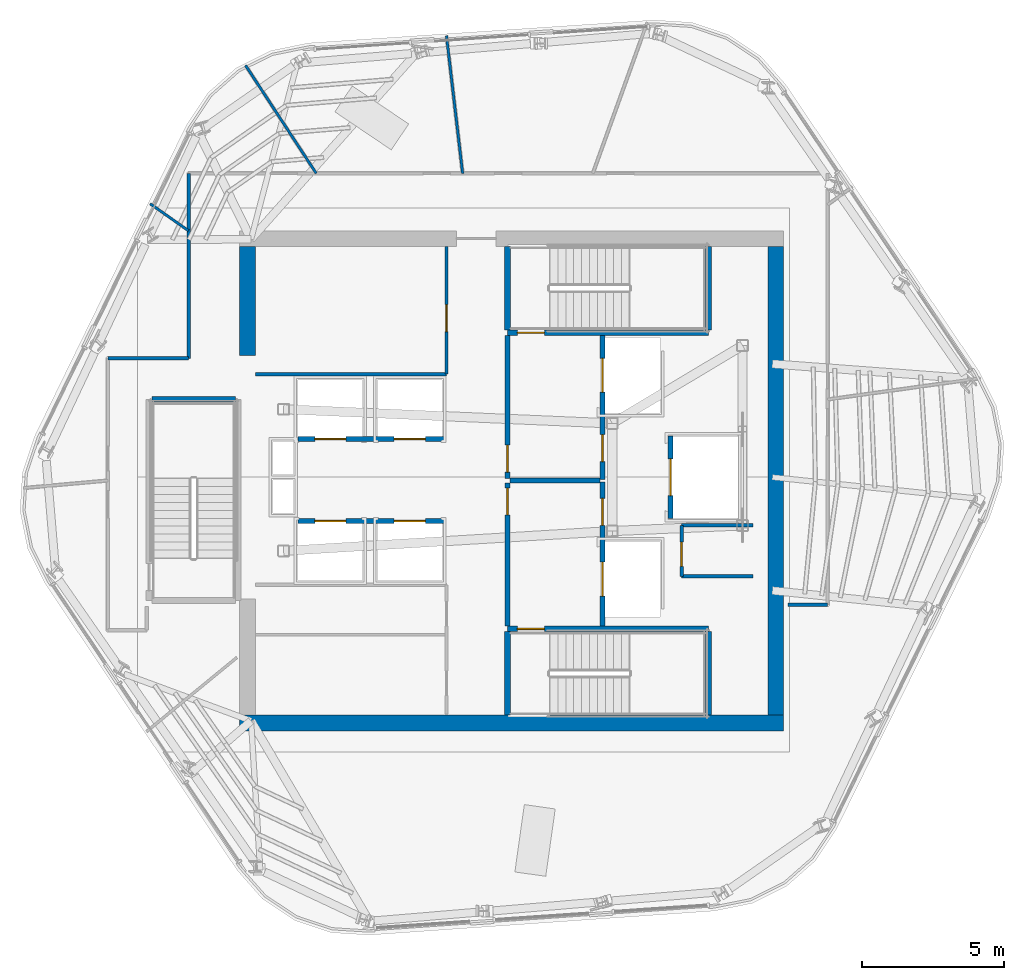
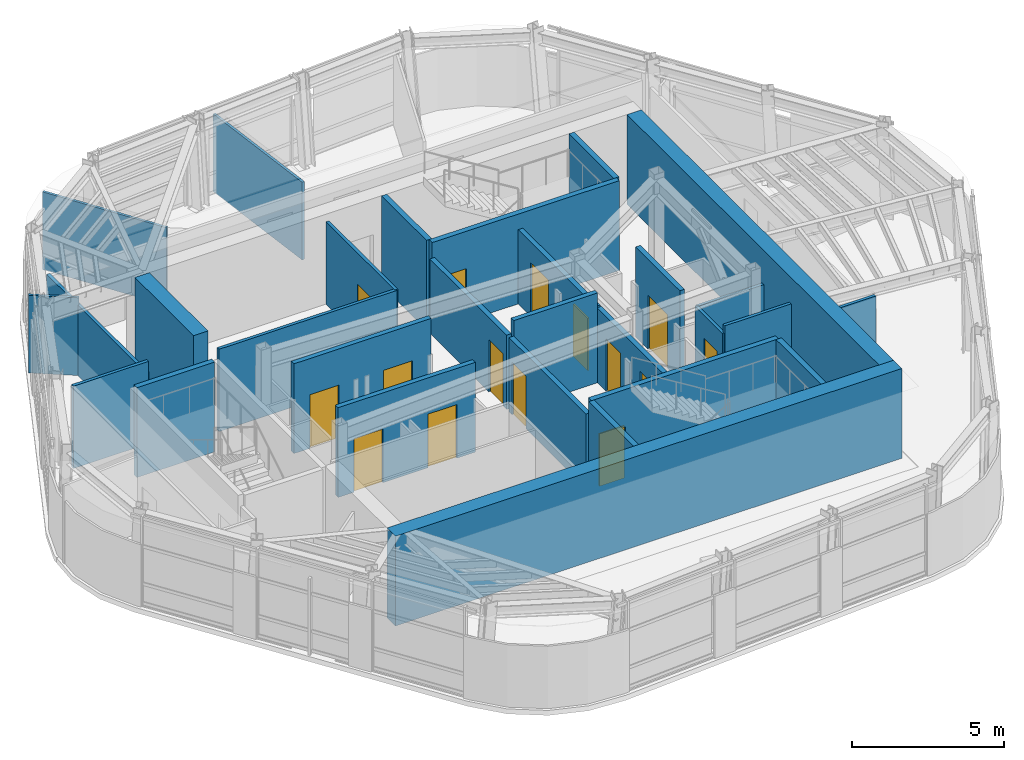
# One storey, part 6 of 14: 29 walls, 15 doors, 15 openings.
"""IFC4 building model written with IfcOpenShell, lengths in metres."""

import ifcopenshell
import ifcopenshell.guid

model = None  # the IFC model being written
_history = None  # IfcOwnerHistory: only IFC2X3 demands one
_inside = {}  # id of a spatial element -> (the spatial element, [elements in it])
_under = {}  # id of a project, library or spatial element -> (it, [spatial elements below it])
_declared = {}  # id of a project -> (the project, [libraries it declares])
_typed = {}  # id of a type object -> (the type object, [elements of that type])
_made_of = {}  # id of a material, layer set ... -> (it, [elements and type objects made of it])


def new_model(schema):
    """Start an empty IFC model of exactly this schema.

    Asked for "IFC4X3", IfcOpenShell would pick the latest addendum, in which some entities
    have other attributes; the version numbers below select the first issue.
    IFC2X3 requires an IfcOwnerHistory on every rooted entity: one is made here for all.
    """
    global model, _history
    if schema == "IFC4X3":
        model = ifcopenshell.file(schema_version=(4, 3, 0, 0))
    else:
        model = ifcopenshell.file(schema=schema)
    _inside.clear()
    _under.clear()
    _declared.clear()
    _typed.clear()
    _made_of.clear()
    _history = None
    if model.schema == "IFC2X3":
        org = make("IfcOrganization", Name="unknown")
        user = make(
            "IfcPersonAndOrganization",
            ThePerson=make("IfcPerson", FamilyName="unknown"),
            TheOrganization=org,
        )
        app = make(
            "IfcApplication",
            ApplicationDeveloper=org,
            Version="unknown",
            ApplicationFullName="unknown",
            ApplicationIdentifier="unknown",
        )
        _history = make(
            "IfcOwnerHistory",
            OwningUser=user,
            OwningApplication=app,
            ChangeAction="ADDED",
            CreationDate=0,
        )
    return model


def make(cls, **values):
    """One entity of the class cls with the attributes given. An attribute that is None is left unset."""
    return model.create_entity(
        cls, **{name: value for name, value in values.items() if value is not None}
    )


def rooted(cls, **values):
    """An entity with a GlobalId (a new one), such as an element, a storey or a relation."""
    return make(cls, GlobalId=ifcopenshell.guid.new(), OwnerHistory=_history, **values)


def si_unit(unit_type, name, prefix=None):
    """IfcSIUnit, for example si_unit("LENGTHUNIT", "METRE", prefix="MILLI")."""
    return make("IfcSIUnit", UnitType=unit_type, Prefix=prefix, Name=name)


def assignment(units):
    """IfcUnitAssignment: the units of a project."""
    return None if units is None else make("IfcUnitAssignment", Units=units)


def point(xyz):
    """IfcCartesianPoint."""
    return None if xyz is None else make("IfcCartesianPoint", Coordinates=xyz)


def direction(xyz):
    """IfcDirection."""
    return None if xyz is None else make("IfcDirection", DirectionRatios=xyz)


def frame(location, z_axis=None, x_axis=None):
    """IfcAxis2Placement3D, a coordinate frame: its origin and axes. An axis left out is left unset."""
    return make(
        "IfcAxis2Placement3D",
        Location=point(location),
        Axis=direction(z_axis),
        RefDirection=direction(x_axis),
    )


def frame_2d(location, x_axis=None):
    """IfcAxis2Placement2D, a coordinate frame in the plane: its origin and x axis."""
    return make(
        "IfcAxis2Placement2D", Location=point(location), RefDirection=direction(x_axis)
    )


def origin():
    """The frame at (0, 0, 0) with its axes left unset."""
    return frame((0.0, 0.0, 0.0))


def place(relative_to, where):
    """IfcLocalPlacement: puts the frame where relative to a parent placement (None: the world)."""
    return make(
        "IfcLocalPlacement", PlacementRelTo=relative_to, RelativePlacement=where
    )


def context(
    kind, dimensions, precision=None, world=None, true_north=None, identifier=None
):
    """IfcGeometricRepresentationContext, for example the 3D "Model" context."""
    return make(
        "IfcGeometricRepresentationContext",
        ContextIdentifier=identifier,
        ContextType=kind,
        CoordinateSpaceDimension=dimensions,
        Precision=precision,
        WorldCoordinateSystem=world,
        TrueNorth=true_north,
    )


def subcontext(parent, identifier, kind, view, scale=None):
    """IfcGeometricRepresentationSubContext, for example "Body" below "Model"."""
    return make(
        "IfcGeometricRepresentationSubContext",
        ContextIdentifier=identifier,
        ContextType=kind,
        ParentContext=parent,
        TargetScale=scale,
        TargetView=view,
    )


def project(units=None, contexts=None):
    """IfcProject with its units and contexts."""
    return rooted(
        "IfcProject",
        Name="project",
        RepresentationContexts=contexts,
        UnitsInContext=assignment(units),
    )


def spatial(cls, under=None, at=None, **own):
    """A site, building, storey or space (cls), placed at a placement, below another one or the project."""
    s = rooted(cls, ObjectPlacement=at, **own)
    if under is not None:
        _under.setdefault(under.id(), (under, []))[1].append(s)
    return s


def profile(cls, at=None, kind="AREA", **sizes):
    """A parametric profile (cls). Its sizes go by their IFC names, for example OverallWidth=200.0."""
    return make(cls, ProfileType=kind, Position=at, **sizes)


def rectangle(**sizes):
    """IfcRectangleProfileDef."""
    return profile("IfcRectangleProfileDef", **sizes)


def extrude(swept, where, along, depth):
    """IfcExtrudedAreaSolid: the profile swept, set in the frame where, extruded along a direction by depth."""
    return make(
        "IfcExtrudedAreaSolid",
        SweptArea=swept,
        Position=where,
        ExtrudedDirection=direction(along),
        Depth=depth,
    )


def shape(context_of_items, identifier, shape_type, items):
    """IfcShapeRepresentation: the items that make up one representation, for example the "Body"."""
    return make(
        "IfcShapeRepresentation",
        ContextOfItems=context_of_items,
        RepresentationIdentifier=identifier,
        RepresentationType=shape_type,
        Items=items,
    )


def material(Name=None, Category=None):
    """IfcMaterial."""
    return make("IfcMaterial", Name=Name, Category=Category)


def layer(
    of_material, thickness, ventilated=None, Name=None, Category=None, Priority=None
):
    """IfcMaterialLayer: one layer of a wall or slab, of a material (None: an air gap)."""
    return make(
        "IfcMaterialLayer",
        Material=of_material,
        LayerThickness=thickness,
        IsVentilated=ventilated,
        Name=Name,
        Category=Category,
        Priority=Priority,
    )


def layer_set(layers, Name=None):
    """IfcMaterialLayerSet."""
    return make("IfcMaterialLayerSet", MaterialLayers=layers, LayerSetName=Name)


def made_of(thing, what):
    """Note that an element or type object is made of a material, layer set ...; save() writes the relation."""
    if what is not None:
        _made_of.setdefault(what.id(), (what, []))[1].append(thing)
    return thing


def type_object(cls, material=None, **own):
    """A type object (cls), such as IfcWallType, which elements share."""
    return made_of(rooted(cls, **own), material)


def element(
    cls,
    number,
    at=None,
    inside=None,
    cuts=None,
    type_object=None,
    material=None,
    context=None,
    identifier="Body",
    shape_type=None,
    held_by="IfcProductDefinitionShape",
    body=None,
    shapes=None,
    **own,
):
    """One element of the class cls, such as IfcWall. Its Tag is "e" and its number.

    at: its placement. inside: the storey or other place that contains it. cuts: it is an
    opening in that element (IfcRelVoidsElement). A single representation is given by context,
    identifier, shape_type and body (its items); several are given by shapes. held_by: the class
    of the entity that holds the representations. save() writes the other relations.
    """
    e = rooted(cls, Tag="e%d" % number, ObjectPlacement=at, **own)
    if body is not None:
        shapes = [shape(context, identifier, shape_type, body)]
    if shapes is not None:
        e.Representation = make(held_by, Representations=shapes)
    if inside is not None:
        _inside.setdefault(inside.id(), (inside, []))[1].append(e)
    if cuts is not None:
        rooted(
            "IfcRelVoidsElement", RelatingBuildingElement=cuts, RelatedOpeningElement=e
        )
    if type_object is not None:
        _typed.setdefault(type_object.id(), (type_object, []))[1].append(e)
    return made_of(e, material)


def fill(opening, filler):
    """IfcRelFillsElement: the door or window that sits in an opening."""
    return rooted(
        "IfcRelFillsElement",
        RelatingOpeningElement=opening,
        RelatedBuildingElement=filler,
    )


def aggregate(whole, parts):
    """IfcRelAggregates: a whole, such as a stair, and the parts it consists of."""
    return rooted("IfcRelAggregates", RelatingObject=whole, RelatedObjects=parts)


def save(model, path):
    """Write the relations noted so far, then the file.

    IfcRelAggregates (storeys below a building ...), IfcRelContainedInSpatialStructure (elements
    in a storey), IfcRelDefinesByType, IfcRelAssociatesMaterial and IfcRelDeclares: one each for
    every whole, place, type object, material and project.
    """
    for whole, parts in _under.values():
        aggregate(whole, parts)
    for where, things in _inside.values():
        rooted(
            "IfcRelContainedInSpatialStructure",
            RelatedElements=things,
            RelatingStructure=where,
        )
    for kind, things in _typed.values():
        rooted("IfcRelDefinesByType", RelatedObjects=things, RelatingType=kind)
    for what, things in _made_of.values():
        rooted("IfcRelAssociatesMaterial", RelatedObjects=things, RelatingMaterial=what)
    for by, libraries in _declared.values():
        rooted("IfcRelDeclares", RelatingContext=by, RelatedDefinitions=libraries)
    model.write(path)


model = new_model("IFC4")

# Units and contexts
model_context = context("Model", 3, precision=1e-05, world=origin(), true_north=direction((0.0, 1.0)))
body_context = subcontext(model_context, "Body", "Model", "MODEL_VIEW")
ifc_project = project(units=[si_unit("LENGTHUNIT", "METRE"), si_unit("AREAUNIT", "SQUARE_METRE"), si_unit("VOLUMEUNIT", "CUBIC_METRE"), si_unit("PLANEANGLEUNIT", "RADIAN"), si_unit("MASSUNIT", "GRAM", prefix="KILO")], contexts=[model_context])

# Site, building, storey
site_placement = place(None, origin())
site = spatial("IfcSite", under=ifc_project, at=site_placement, CompositionType="ELEMENT")
building_placement = place(site_placement, origin())
building = spatial("IfcBuilding", under=site, at=building_placement, Name="Valkerne Bourse Tower", CompositionType="ELEMENT")
storey_placement = place(building_placement, frame((0.0, 0.0, 300.199951171875)))
storey = spatial("IfcBuildingStorey", under=building, at=storey_placement, Name="L76", CompositionType="ELEMENT", Elevation=300.199951171875)

# Walls
ifc_material_1 = material(Name="Concrete C55/67", Category="concrete")
ifc_layer_1 = layer(ifc_material_1, 0.550048828125)
ifc_layer_set_1 = layer_set([ifc_layer_1], Name="Concrete C55/67")
wall_type_1 = type_object("IfcWallType", Name="W-CORE-550", PredefinedType="SHEAR", material=ifc_layer_set_1)
wall_1_placement = place(storey_placement, frame((37.199951171875, 18.324951171875, 0.0), z_axis=(0.0, 0.0, 1.0), x_axis=(1.0, 0.0, 0.0)))
element("IfcWall", 1, at=wall_1_placement, inside=storey, type_object=wall_type_1, Name="L76 Core Shear Wall SOUTH", PredefinedType="SHEAR", context=body_context, shape_type="SweptSolid", body=[
    extrude(rectangle(XDim=19.199951171875, YDim=0.550048828125, at=frame_2d((9.60009765625, 0.0))), origin(), (0.0, 0.0, 1.0), 3.60009765625),
])
wall_2_placement = place(storey_placement, frame((56.125, 18.60009765625, 0.0), z_axis=(0.0, 0.0, 1.0), x_axis=(0.0, 1.0, 0.0)))
element("IfcWall", 2, at=wall_2_placement, inside=storey, type_object=wall_type_1, Name="L76 Core Shear Wall EAST", PredefinedType="SHEAR", context=body_context, shape_type="SweptSolid", body=[
    extrude(rectangle(XDim=16.5498046875, YDim=0.550048828125, at=frame_2d((8.27490234375, 0.0))), origin(), (0.0, 0.0, 1.0), 3.60009765625),
])
wall_3_placement = place(storey_placement, frame((37.47509765625, 31.300048828125, 0.0), z_axis=(0.0, 0.0, 1.0), x_axis=(0.0, 1.0, 0.0)))
element("IfcWall", 3, at=wall_3_placement, inside=storey, type_object=wall_type_1, Name="L76 Core Shear Wall WEST-N", PredefinedType="SHEAR", context=body_context, shape_type="SweptSolid", body=[
    extrude(rectangle(XDim=3.849853515625, YDim=0.550048828125, at=frame_2d((1.9248046875, 0.0))), origin(), (0.0, 0.0, 1.0), 3.60009765625),
])

# Wall, opening, door
ifc_material_2 = material(Name="Gypsum Board Steel-Stud Partition", Category="steel")
ifc_layer_2 = layer(ifc_material_2, 0.117919921875)
ifc_layer_set_2 = layer_set([ifc_layer_2], Name="Gypsum Board Steel-Stud Partition")
wall_type_2 = type_object("IfcWallType", Name="W-CORR-140", PredefinedType="PARTITIONING", material=ifc_layer_set_2)
wall_4_placement = place(storey_placement, frame((44.5, 30.639892578125, 0.0), z_axis=(0.0, 0.0, 1.0), x_axis=(0.0, 1.0, 0.0)))
wall_4 = element("IfcWall", 4, at=wall_4_placement, inside=storey, type_object=wall_type_2, Name="L76 LV7 Mid-Bank East Wall", PredefinedType="PARTITIONING", context=body_context, shape_type="SweptSolid", body=[
    extrude(rectangle(XDim=4.510009765625, YDim=0.117919921875, at=frame_2d((2.2548828125, 0.0))), origin(), (0.0, 0.0, 1.0), 3.300048828125),
])
opening_1_placement = place(wall_4_placement, frame((1.5, 0.0, 0.0)))
opening_1 = element("IfcOpeningElement", 5, at=opening_1_placement, cuts=wall_4, Name="Opening D-SV-950", PredefinedType="OPENING", context=body_context, shape_type="SweptSolid", body=[
    extrude(rectangle(XDim=0.949951171875, YDim=2.050048828125, at=frame_2d((0.47509765625, 1.02490234375))), frame((0.0, 0.06884765625, 0.0), z_axis=(0.0, -1.0, 0.0), x_axis=(1.0, 0.0, 0.0)), (0.0, 0.0, 1.0), 0.137939453125),
])
ifc_material_3 = material(Name="Galvanised Painted Steel", Category="steel")
door_type_1 = type_object("IfcDoorType", Name="DR-SRV-950", OperationType="NOTDEFINED", PredefinedType="DOOR", material=ifc_material_3)
door_1_placement = place(opening_1_placement, origin())
door_1 = element("IfcDoor", 6, at=door_1_placement, inside=storey, type_object=door_type_1, Name="L76 Executive Treasury Conference Door", OperationType="SINGLE_SWING_LEFT", OverallHeight=2.050048828125, OverallWidth=0.949951171875, PredefinedType="DOOR", context=body_context, shape_type="SweptSolid", body=[
    extrude(rectangle(XDim=0.949951171875, YDim=2.050048828125, at=frame_2d((0.47509765625, 1.02490234375))), frame((0.0, 0.02490234375, 0.0), z_axis=(0.0, -1.0, 0.0), x_axis=(1.0, 0.0, 0.0)), (0.0, 0.0, 1.0), 0.050048828125),
])
fill(opening_1, door_1)

# Wall
wall_5_placement = place(storey_placement, frame((37.75, 30.639892578125, 0.0), z_axis=(0.0, 0.0, 1.0), x_axis=(1.0, 0.0, 0.0)))
element("IfcWall", 7, at=wall_5_placement, inside=storey, type_object=wall_type_2, Name="L76 LV7 Mid-Bank South Wall", PredefinedType="PARTITIONING", context=body_context, shape_type="SweptSolid", body=[
    extrude(rectangle(XDim=6.75, YDim=0.117919921875, at=frame_2d((3.375, 0.0))), origin(), (0.0, 0.0, 1.0), 3.300048828125),
])

# Wall, opening, door
wall_6_placement = place(storey_placement, frame((52.800048828125, 23.5, 0.0), z_axis=(0.0, 0.0, 1.0), x_axis=(0.0, 1.0, 0.0)))
wall_6 = element("IfcWall", 8, at=wall_6_placement, inside=storey, type_object=wall_type_2, Name="L76 Core SE North-Bay West Wall", PredefinedType="PARTITIONING", context=body_context, shape_type="SweptSolid", body=[
    extrude(rectangle(XDim=1.800048828125, YDim=0.117919921875, at=frame_2d((0.89990234375, 0.0))), origin(), (0.0, 0.0, 1.0), 2.977783203125),
])
opening_2_placement = place(wall_6_placement, frame((0.35009765625, 0.0, 0.0)))
opening_2 = element("IfcOpeningElement", 9, at=opening_2_placement, cuts=wall_6, Name="Opening D-WC-900", PredefinedType="OPENING", context=body_context, shape_type="SweptSolid", body=[
    extrude(rectangle(XDim=0.860107421875, YDim=2.050048828125, at=frame_2d((0.43017578125, 1.02490234375))), frame((0.0, 0.06884765625, 0.0), z_axis=(0.0, -1.0, 0.0), x_axis=(1.0, 0.0, 0.0)), (0.0, 0.0, 1.0), 0.137939453125),
])
ifc_material_4 = material(Name="Architectural White Oak Timber", Category="wood")
door_type_2 = type_object("IfcDoorType", Name="DR-WC-900", OperationType="NOTDEFINED", PredefinedType="DOOR", material=ifc_material_4)
door_2_placement = place(opening_2_placement, origin())
door_2 = element("IfcDoor", 10, at=door_2_placement, inside=storey, type_object=door_type_2, Name="L76 Telecom Closet Door", OperationType="SINGLE_SWING_LEFT", OverallHeight=2.050048828125, OverallWidth=0.860107421875, PredefinedType="DOOR", context=body_context, shape_type="SweptSolid", body=[
    extrude(rectangle(XDim=0.860107421875, YDim=2.050048828125, at=frame_2d((0.43017578125, 1.02490234375))), frame((0.0, 0.02490234375, 0.0), z_axis=(0.0, -1.0, 0.0), x_axis=(1.0, 0.0, 0.0)), (0.0, 0.0, 1.0), 0.050048828125),
])
fill(opening_2, door_2)

# Walls
wall_7_placement = place(storey_placement, frame((52.800048828125, 23.5, 0.0), z_axis=(0.0, 0.0, 1.0), x_axis=(1.0, 0.0, 0.0)))
element("IfcWall", 11, at=wall_7_placement, inside=storey, type_object=wall_type_2, Name="L76 Core SE North-Bay South Wall", PredefinedType="PARTITIONING", context=body_context, shape_type="SweptSolid", body=[
    extrude(rectangle(XDim=2.52001953125, YDim=0.117919921875, at=frame_2d((1.260009765625, 0.0))), origin(), (0.0, 0.0, 1.0), 3.300048828125),
])
wall_8_placement = place(storey_placement, frame((52.800048828125, 25.300048828125, 0.0), z_axis=(0.0, 0.0, 1.0), x_axis=(1.0, 0.0, 0.0)))
element("IfcWall", 12, at=wall_8_placement, inside=storey, type_object=wall_type_2, Name="L76 Core SE North-Bay North Wall", PredefinedType="PARTITIONING", context=body_context, shape_type="SweptSolid", body=[
    extrude(rectangle(XDim=2.52001953125, YDim=0.117919921875, at=frame_2d((1.260009765625, 0.0))), origin(), (0.0, 0.0, 1.0), 2.977783203125),
])
wall_9_placement = place(storey_placement, frame((35.39990234375, 31.199951171875, 0.0), z_axis=(0.0, 0.0, 1.0), x_axis=(0.0, 1.0, 0.0)))
element("IfcWall", 13, at=wall_9_placement, inside=storey, type_object=wall_type_2, Name="L76 Corridor Enclosure Wall", PredefinedType="PARTITIONING", context=body_context, shape_type="SweptSolid", body=[
    extrude(rectangle(XDim=6.52001953125, YDim=0.117919921875, at=frame_2d((3.260009765625, 0.0))), origin(), (0.0, 0.0, 1.0), 2.820556640625),
])
wall_10_placement = place(storey_placement, frame((57.949951171875, 22.5, 0.0), z_axis=(0.0, 0.0, 1.0), x_axis=(-1.0, 0.0, 0.0)))
element("IfcWall", 14, at=wall_10_placement, inside=storey, type_object=wall_type_2, Name="L76 Corridor Enclosure Wall", PredefinedType="PARTITIONING", context=body_context, shape_type="SweptSolid", body=[
    extrude(rectangle(XDim=1.389892578125, YDim=0.117919921875, at=frame_2d((0.69482421875, 0.0))), origin(), (0.0, 0.0, 1.0), 3.300048828125),
])
wall_11_placement = place(storey_placement, frame((32.550048828125, 31.199951171875, 0.0), z_axis=(0.0, 0.0, 1.0), x_axis=(1.0, 0.0, 0.0)))
element("IfcWall", 15, at=wall_11_placement, inside=storey, type_object=wall_type_2, Name="L76 Corridor Enclosure Wall", PredefinedType="PARTITIONING", context=body_context, shape_type="SweptSolid", body=[
    extrude(rectangle(XDim=2.849853515625, YDim=0.117919921875, at=frame_2d((1.4248046875, 0.0))), origin(), (0.0, 0.0, 1.0), 3.300048828125),
])
ifc_material_5 = material(Name="Gypsum Fire-Rated Shaftwall", Category="gypsum")
ifc_layer_3 = layer(ifc_material_5, 0.179931640625)
ifc_layer_set_3 = layer_set([ifc_layer_3], Name="Gypsum Fire-Rated Shaftwall")
wall_type_3 = type_object("IfcWallType", Name="W-FSAE-180", PredefinedType="PARTITIONING", material=ifc_layer_set_3)
wall_12_placement = place(storey_placement, frame((46.739990234375, 26.8798828125, 0.0), z_axis=(0.0, 0.0, 1.0), x_axis=(1.0, 0.0, 0.0)))
element("IfcWall", 16, at=wall_12_placement, inside=storey, type_object=wall_type_3, Name="L76 FSAE-1/2 Lobby Dividing Fire Wall", PredefinedType="PARTITIONING", context=body_context, shape_type="SweptSolid", body=[
    extrude(rectangle(XDim=3.169921875, YDim=0.179931640625, at=frame_2d((1.5849609375, 0.0))), origin(), (0.0, 0.0, 1.0), 3.60009765625),
])

# Wall, opening, door
wall_13_placement = place(storey_placement, frame((46.64990234375, 21.75, 0.0), z_axis=(0.0, 0.0, 1.0), x_axis=(0.0, 1.0, 0.0)))
wall_13 = element("IfcWall", 17, at=wall_13_placement, inside=storey, type_object=wall_type_3, Name="L76 FSAE-1 Lobby West Fire Wall", PredefinedType="PARTITIONING", context=body_context, shape_type="SweptSolid", body=[
    extrude(rectangle(XDim=5.050048828125, YDim=0.179931640625, at=frame_2d((2.52490234375, 0.0))), origin(), (0.0, 0.0, 1.0), 2.977783203125),
])
opening_3_placement = place(wall_13_placement, frame((3.919921875, 0.0, 0.0)))
opening_3 = element("IfcOpeningElement", 18, at=opening_3_placement, cuts=wall_13, Name="Opening D-FS-950", PredefinedType="OPENING", context=body_context, shape_type="SweptSolid", body=[
    extrude(rectangle(XDim=0.949951171875, YDim=2.10009765625, at=frame_2d((0.47509765625, 1.050048828125))), frame((0.0, 0.099853515625, 0.0), z_axis=(0.0, -1.0, 0.0), x_axis=(1.0, 0.0, 0.0)), (0.0, 0.0, 1.0), 0.199951171875),
])
door_type_3 = type_object("IfcDoorType", Name="DR-FSAE-950", OperationType="NOTDEFINED", PredefinedType="DOOR", material=ifc_material_3)
door_3_placement = place(opening_3_placement, origin())
door_3 = element("IfcDoor", 19, at=door_3_placement, inside=storey, type_object=door_type_3, Name="L76 FSAE-1 Hall Link Fire Door", OperationType="SINGLE_SWING_RIGHT", OverallHeight=2.10009765625, OverallWidth=0.949951171875, PredefinedType="DOOR", context=body_context, shape_type="SweptSolid", body=[
    extrude(rectangle(XDim=0.949951171875, YDim=2.10009765625, at=frame_2d((0.47509765625, 1.050048828125))), frame((0.0, 0.02490234375, 0.0), z_axis=(0.0, -1.0, 0.0), x_axis=(1.0, 0.0, 0.0)), (0.0, 0.0, 1.0), 0.050048828125),
])
fill(opening_3, door_3)

wall_14_placement = place(storey_placement, frame((46.64990234375, 26.9599609375, 0.0), z_axis=(0.0, 0.0, 1.0), x_axis=(0.0, 1.0, 0.0)))
wall_14 = element("IfcWall", 20, at=wall_14_placement, inside=storey, type_object=wall_type_3, Name="L76 FSAE-2 Lobby West Fire Wall", PredefinedType="PARTITIONING", context=body_context, shape_type="SweptSolid", body=[
    extrude(rectangle(XDim=5.0400390625, YDim=0.179931640625, at=frame_2d((2.52001953125, 0.0))), origin(), (0.0, 0.0, 1.0), 2.977783203125),
])
opening_4_placement = place(wall_14_placement, frame((0.219970703125, 0.0, 0.0)))
opening_4 = element("IfcOpeningElement", 21, at=opening_4_placement, cuts=wall_14, Name="Opening D-FS-950", PredefinedType="OPENING", context=body_context, shape_type="SweptSolid", body=[
    extrude(rectangle(XDim=0.949951171875, YDim=2.10009765625, at=frame_2d((0.47509765625, 1.050048828125))), frame((0.0, 0.099853515625, 0.0), z_axis=(0.0, -1.0, 0.0), x_axis=(1.0, 0.0, 0.0)), (0.0, 0.0, 1.0), 0.199951171875),
])
door_4_placement = place(opening_4_placement, origin())
door_4 = element("IfcDoor", 22, at=door_4_placement, inside=storey, type_object=door_type_3, Name="L76 FSAE-2 Hall Link Fire Door", OperationType="SINGLE_SWING_LEFT", OverallHeight=2.10009765625, OverallWidth=0.949951171875, PredefinedType="DOOR", context=body_context, shape_type="SweptSolid", body=[
    extrude(rectangle(XDim=0.949951171875, YDim=2.10009765625, at=frame_2d((0.47509765625, 1.050048828125))), frame((0.0, 0.02490234375, 0.0), z_axis=(0.0, -1.0, 0.0), x_axis=(1.0, 0.0, 0.0)), (0.0, 0.0, 1.0), 0.050048828125),
])
fill(opening_4, door_4)

# Wall, openings, doors
wall_15_placement = place(storey_placement, frame((50.0, 21.75, 0.0), z_axis=(0.0, 0.0, 1.0), x_axis=(0.0, 1.0, 0.0)))
wall_15 = element("IfcWall", 23, at=wall_15_placement, inside=storey, type_object=wall_type_3, Name="L76 FSAE-1 Lobby & Shaft Front Wall", PredefinedType="PARTITIONING", context=body_context, shape_type="SweptSolid", body=[
    extrude(rectangle(XDim=5.090087890625, YDim=0.179931640625, at=frame_2d((2.544921875, 0.0))), origin(), (0.0, 0.0, 1.0), 2.977783203125),
])
opening_5_placement = place(wall_15_placement, frame((1.050048828125, 0.0, 0.0)))
opening_5 = element("IfcOpeningElement", 24, at=opening_5_placement, cuts=wall_15, Name="Opening LD-1200", PredefinedType="OPENING", context=body_context, shape_type="SweptSolid", body=[
    extrude(rectangle(XDim=1.199951171875, YDim=2.14990234375, at=frame_2d((0.60009765625, 1.074951171875))), frame((0.0, 0.099853515625, 0.0), z_axis=(0.0, -1.0, 0.0), x_axis=(1.0, 0.0, 0.0)), (0.0, 0.0, 1.0), 0.199951171875),
])
opening_6_placement = place(wall_15_placement, frame((3.550048828125, 0.0, 0.0)))
opening_6 = element("IfcOpeningElement", 25, at=opening_6_placement, cuts=wall_15, Name="Opening D-FS-950", PredefinedType="OPENING", context=body_context, shape_type="SweptSolid", body=[
    extrude(rectangle(XDim=0.949951171875, YDim=2.10009765625, at=frame_2d((0.47509765625, 1.050048828125))), frame((0.0, 0.099853515625, 0.0), z_axis=(0.0, -1.0, 0.0), x_axis=(1.0, 0.0, 0.0)), (0.0, 0.0, 1.0), 0.199951171875),
])
door_5_placement = place(opening_6_placement, origin())
door_5 = element("IfcDoor", 26, at=door_5_placement, inside=storey, type_object=door_type_3, Name="L76 FSAE-1 Lobby Corridor Fire Door", OperationType="SINGLE_SWING_LEFT", OverallHeight=2.10009765625, OverallWidth=0.949951171875, PredefinedType="DOOR", context=body_context, shape_type="SweptSolid", body=[
    extrude(rectangle(XDim=0.949951171875, YDim=2.10009765625, at=frame_2d((0.47509765625, 1.050048828125))), frame((0.0, 0.02490234375, 0.0), z_axis=(0.0, -1.0, 0.0), x_axis=(1.0, 0.0, 0.0)), (0.0, 0.0, 1.0), 0.050048828125),
])
fill(opening_6, door_5)
ifc_material_6 = material(Name="Stainless Steel AISI 316", Category="steel")
door_type_4 = type_object("IfcDoorType", Name="DR-LIFT-1200", OperationType="DOUBLE_DOOR_SLIDING", PredefinedType="DOOR", material=ifc_material_6)
door_6_placement = place(opening_5_placement, origin())
door_6 = element("IfcDoor", 27, at=door_6_placement, inside=storey, type_object=door_type_4, Name="L76 FSAE-1 Firefighting Lift Landing Door", OperationType="DOUBLE_DOOR_SLIDING", OverallHeight=2.14990234375, OverallWidth=1.199951171875, PredefinedType="DOOR", context=body_context, shape_type="SweptSolid", body=[
    extrude(rectangle(XDim=1.199951171875, YDim=2.14990234375, at=frame_2d((0.60009765625, 1.074951171875))), frame((0.0, 0.02490234375, 0.0), z_axis=(0.0, -1.0, 0.0), x_axis=(1.0, 0.0, 0.0)), (0.0, 0.0, 1.0), 0.050048828125),
])
fill(opening_5, door_6)

wall_16_placement = place(storey_placement, frame((50.0, 26.919921875, 0.0), z_axis=(0.0, 0.0, 1.0), x_axis=(0.0, 1.0, 0.0)))
wall_16 = element("IfcWall", 28, at=wall_16_placement, inside=storey, type_object=wall_type_3, Name="L76 FSAE-2 Lobby & Shaft Front Wall", PredefinedType="PARTITIONING", context=body_context, shape_type="SweptSolid", body=[
    extrude(rectangle(XDim=5.080078125, YDim=0.179931640625, at=frame_2d((2.5400390625, 0.0))), origin(), (0.0, 0.0, 1.0), 2.977783203125),
])
opening_7_placement = place(wall_16_placement, frame((3.080078125, 0.0, 0.0)))
opening_7 = element("IfcOpeningElement", 29, at=opening_7_placement, cuts=wall_16, Name="Opening LD-1200", PredefinedType="OPENING", context=body_context, shape_type="SweptSolid", body=[
    extrude(rectangle(XDim=1.199951171875, YDim=2.14990234375, at=frame_2d((0.60009765625, 1.074951171875))), frame((0.0, 0.099853515625, 0.0), z_axis=(0.0, -1.0, 0.0), x_axis=(1.0, 0.0, 0.0)), (0.0, 0.0, 1.0), 0.199951171875),
])
opening_8_placement = place(wall_16_placement, frame((0.6298828125, 0.0, 0.0)))
opening_8 = element("IfcOpeningElement", 30, at=opening_8_placement, cuts=wall_16, Name="Opening D-FS-950", PredefinedType="OPENING", context=body_context, shape_type="SweptSolid", body=[
    extrude(rectangle(XDim=0.949951171875, YDim=2.10009765625, at=frame_2d((0.47509765625, 1.050048828125))), frame((0.0, 0.099853515625, 0.0), z_axis=(0.0, -1.0, 0.0), x_axis=(1.0, 0.0, 0.0)), (0.0, 0.0, 1.0), 0.199951171875),
])
door_7_placement = place(opening_8_placement, origin())
door_7 = element("IfcDoor", 31, at=door_7_placement, inside=storey, type_object=door_type_3, Name="L76 FSAE-2 Lobby Corridor Fire Door", OperationType="SINGLE_SWING_LEFT", OverallHeight=2.10009765625, OverallWidth=0.949951171875, PredefinedType="DOOR", context=body_context, shape_type="SweptSolid", body=[
    extrude(rectangle(XDim=0.949951171875, YDim=2.10009765625, at=frame_2d((0.47509765625, 1.050048828125))), frame((0.0, 0.02490234375, 0.0), z_axis=(0.0, -1.0, 0.0), x_axis=(1.0, 0.0, 0.0)), (0.0, 0.0, 1.0), 0.050048828125),
])
fill(opening_8, door_7)
door_8_placement = place(opening_7_placement, origin())
door_8 = element("IfcDoor", 32, at=door_8_placement, inside=storey, type_object=door_type_4, Name="L76 FSAE-2 Firefighting Lift Landing Door", OperationType="DOUBLE_DOOR_SLIDING", OverallHeight=2.14990234375, OverallWidth=1.199951171875, PredefinedType="DOOR", context=body_context, shape_type="SweptSolid", body=[
    extrude(rectangle(XDim=1.199951171875, YDim=2.14990234375, at=frame_2d((0.60009765625, 1.074951171875))), frame((0.0, 0.02490234375, 0.0), z_axis=(0.0, -1.0, 0.0), x_axis=(1.0, 0.0, 0.0)), (0.0, 0.0, 1.0), 0.050048828125),
])
fill(opening_7, door_8)

# Wall, opening, door
ifc_material_7 = material(Name="CMU Blockwork Masonry 200mm", Category="masonry")
ifc_layer_4 = layer(ifc_material_7, 0.179931640625)
ifc_layer_set_4 = layer_set([ifc_layer_4], Name="CMU Blockwork Masonry 200mm")
wall_type_4 = type_object("IfcWallType", Name="W-LFT-180", PredefinedType="SOLIDWALL", material=ifc_layer_set_4)
wall_17_placement = place(storey_placement, frame((52.39990234375, 25.550048828125, 0.0), z_axis=(0.0, 0.0, 1.0), x_axis=(0.0, 1.0, 0.0)))
wall_17 = element("IfcWall", 33, at=wall_17_placement, inside=storey, type_object=wall_type_4, Name="L76 Service Lift SV-1 Front Wall", PredefinedType="SOLIDWALL", context=body_context, shape_type="SweptSolid", body=[
    extrude(rectangle(XDim=2.89990234375, YDim=0.179931640625, at=frame_2d((1.449951171875, 0.0))), origin(), (0.0, 0.0, 1.0), 3.60009765625),
])
opening_9_placement = place(wall_17_placement, frame((0.800048828125, 0.0, 0.0)))
opening_9 = element("IfcOpeningElement", 34, at=opening_9_placement, cuts=wall_17, Name="Opening LD-1300", PredefinedType="OPENING", context=body_context, shape_type="SweptSolid", body=[
    extrude(rectangle(XDim=1.300048828125, YDim=2.14990234375, at=frame_2d((0.64990234375, 1.074951171875))), frame((0.0, 0.099853515625, 0.0), z_axis=(0.0, -1.0, 0.0), x_axis=(1.0, 0.0, 0.0)), (0.0, 0.0, 1.0), 0.199951171875),
])
door_type_5 = type_object("IfcDoorType", Name="DR-LIFT-1300", OperationType="DOUBLE_DOOR_SLIDING", PredefinedType="DOOR", material=ifc_material_6)
door_9_placement = place(opening_9_placement, origin())
door_9 = element("IfcDoor", 35, at=door_9_placement, inside=storey, type_object=door_type_5, Name="L76 Service Lift SV-1 Landing Door", OperationType="DOUBLE_DOOR_SLIDING", OverallHeight=2.14990234375, OverallWidth=1.300048828125, PredefinedType="DOOR", context=body_context, shape_type="SweptSolid", body=[
    extrude(rectangle(XDim=1.300048828125, YDim=2.14990234375, at=frame_2d((0.64990234375, 1.074951171875))), frame((0.0, 0.02490234375, 0.0), z_axis=(0.0, -1.0, 0.0), x_axis=(1.0, 0.0, 0.0)), (0.0, 0.0, 1.0), 0.050048828125),
])
fill(opening_9, door_9)

# Wall, openings, doors
wall_18_placement = place(storey_placement, frame((39.25, 25.449951171875, 0.0), z_axis=(0.0, 0.0, 1.0), x_axis=(1.0, 0.0, 0.0)))
wall_18 = element("IfcWall", 36, at=wall_18_placement, inside=storey, type_object=wall_type_4, Name="L76 High-Zone South Cars Front Wall", PredefinedType="SOLIDWALL", context=body_context, shape_type="SweptSolid", body=[
    extrude(rectangle(XDim=5.199951171875, YDim=0.179931640625, at=frame_2d((2.60009765625, 0.0))), origin(), (0.0, 0.0, 1.0), 3.60009765625),
])
opening_10_placement = place(wall_18_placement, frame((0.60009765625, 0.0, 0.0)))
opening_10 = element("IfcOpeningElement", 37, at=opening_10_placement, cuts=wall_18, Name="Opening LD-1100", PredefinedType="OPENING", context=body_context, shape_type="SweptSolid", body=[
    extrude(rectangle(XDim=1.10009765625, YDim=2.14990234375, at=frame_2d((0.550048828125, 1.074951171875))), frame((0.0, 0.099853515625, 0.0), z_axis=(0.0, -1.0, 0.0), x_axis=(1.0, 0.0, 0.0)), (0.0, 0.0, 1.0), 0.199951171875),
])
opening_11_placement = place(wall_18_placement, frame((3.39990234375, 0.0, 0.0)))
opening_11 = element("IfcOpeningElement", 38, at=opening_11_placement, cuts=wall_18, Name="Opening LD-1100", PredefinedType="OPENING", context=body_context, shape_type="SweptSolid", body=[
    extrude(rectangle(XDim=1.10009765625, YDim=2.14990234375, at=frame_2d((0.550048828125, 1.074951171875))), frame((0.0, 0.099853515625, 0.0), z_axis=(0.0, -1.0, 0.0), x_axis=(1.0, 0.0, 0.0)), (0.0, 0.0, 1.0), 0.199951171875),
])
door_type_6 = type_object("IfcDoorType", Name="DR-LIFT-1100", OperationType="DOUBLE_DOOR_SLIDING", PredefinedType="DOOR", material=ifc_material_6)
door_10_placement = place(opening_10_placement, origin())
door_10 = element("IfcDoor", 39, at=door_10_placement, inside=storey, type_object=door_type_6, Name="L76 Passenger Lift PL-H1 Sliding Landing Door", OperationType="DOUBLE_DOOR_SLIDING", OverallHeight=2.14990234375, OverallWidth=1.10009765625, PredefinedType="DOOR", context=body_context, shape_type="SweptSolid", body=[
    extrude(rectangle(XDim=1.10009765625, YDim=2.14990234375, at=frame_2d((0.550048828125, 1.074951171875))), frame((0.0, 0.02490234375, 0.0), z_axis=(0.0, -1.0, 0.0), x_axis=(1.0, 0.0, 0.0)), (0.0, 0.0, 1.0), 0.050048828125),
])
fill(opening_10, door_10)
door_11_placement = place(opening_11_placement, origin())
door_11 = element("IfcDoor", 40, at=door_11_placement, inside=storey, type_object=door_type_6, Name="L76 Passenger Lift PL-H2 Sliding Landing Door", OperationType="DOUBLE_DOOR_SLIDING", OverallHeight=2.14990234375, OverallWidth=1.10009765625, PredefinedType="DOOR", context=body_context, shape_type="SweptSolid", body=[
    extrude(rectangle(XDim=1.10009765625, YDim=2.14990234375, at=frame_2d((0.550048828125, 1.074951171875))), frame((0.0, 0.02490234375, 0.0), z_axis=(0.0, -1.0, 0.0), x_axis=(1.0, 0.0, 0.0)), (0.0, 0.0, 1.0), 0.050048828125),
])
fill(opening_11, door_11)

wall_19_placement = place(storey_placement, frame((39.25, 28.35009765625, 0.0), z_axis=(0.0, 0.0, 1.0), x_axis=(1.0, 0.0, 0.0)))
wall_19 = element("IfcWall", 41, at=wall_19_placement, inside=storey, type_object=wall_type_4, Name="L76 High-Zone North Cars Front Wall", PredefinedType="SOLIDWALL", context=body_context, shape_type="SweptSolid", body=[
    extrude(rectangle(XDim=5.199951171875, YDim=0.179931640625, at=frame_2d((2.60009765625, 0.0))), origin(), (0.0, 0.0, 1.0), 3.60009765625),
])
opening_12_placement = place(wall_19_placement, frame((0.60009765625, 0.0, 0.0)))
opening_12 = element("IfcOpeningElement", 42, at=opening_12_placement, cuts=wall_19, Name="Opening LD-1100", PredefinedType="OPENING", context=body_context, shape_type="SweptSolid", body=[
    extrude(rectangle(XDim=1.10009765625, YDim=2.14990234375, at=frame_2d((0.550048828125, 1.074951171875))), frame((0.0, 0.099853515625, 0.0), z_axis=(0.0, -1.0, 0.0), x_axis=(1.0, 0.0, 0.0)), (0.0, 0.0, 1.0), 0.199951171875),
])
opening_13_placement = place(wall_19_placement, frame((3.39990234375, 0.0, 0.0)))
opening_13 = element("IfcOpeningElement", 43, at=opening_13_placement, cuts=wall_19, Name="Opening LD-1100", PredefinedType="OPENING", context=body_context, shape_type="SweptSolid", body=[
    extrude(rectangle(XDim=1.10009765625, YDim=2.14990234375, at=frame_2d((0.550048828125, 1.074951171875))), frame((0.0, 0.099853515625, 0.0), z_axis=(0.0, -1.0, 0.0), x_axis=(1.0, 0.0, 0.0)), (0.0, 0.0, 1.0), 0.199951171875),
])
door_12_placement = place(opening_12_placement, origin())
door_12 = element("IfcDoor", 44, at=door_12_placement, inside=storey, type_object=door_type_6, Name="L76 Passenger Lift PL-H3 Sliding Landing Door", OperationType="DOUBLE_DOOR_SLIDING", OverallHeight=2.14990234375, OverallWidth=1.10009765625, PredefinedType="DOOR", context=body_context, shape_type="SweptSolid", body=[
    extrude(rectangle(XDim=1.10009765625, YDim=2.14990234375, at=frame_2d((0.550048828125, 1.074951171875))), frame((0.0, 0.02490234375, 0.0), z_axis=(0.0, -1.0, 0.0), x_axis=(1.0, 0.0, 0.0)), (0.0, 0.0, 1.0), 0.050048828125),
])
fill(opening_12, door_12)
door_13_placement = place(opening_13_placement, origin())
door_13 = element("IfcDoor", 45, at=door_13_placement, inside=storey, type_object=door_type_6, Name="L76 Passenger Lift PL-H4 Sliding Landing Door", OperationType="DOUBLE_DOOR_SLIDING", OverallHeight=2.14990234375, OverallWidth=1.10009765625, PredefinedType="DOOR", context=body_context, shape_type="SweptSolid", body=[
    extrude(rectangle(XDim=1.10009765625, YDim=2.14990234375, at=frame_2d((0.550048828125, 1.074951171875))), frame((0.0, 0.02490234375, 0.0), z_axis=(0.0, -1.0, 0.0), x_axis=(1.0, 0.0, 0.0)), (0.0, 0.0, 1.0), 0.050048828125),
])
fill(opening_13, door_13)

# Walls
ifc_layer_5 = layer(ifc_material_2, 0.092041015625)
ifc_layer_set_5 = layer_set([ifc_layer_5], Name="Gypsum Board Steel-Stud Partition")
wall_type_5 = type_object("IfcWallType", Name="W-PART-115", PredefinedType="PARTITIONING", material=ifc_layer_set_5)
wall_20_placement = place(storey_placement, frame((45.0693359375, 37.72509765625, 0.0), z_axis=(0.0, 0.0, 1.0), x_axis=(-0.116684879108, 0.993168988132, 0.0)))
element("IfcWall", 46, at=wall_20_placement, inside=storey, type_object=wall_type_5, Name="L76 Suite Partition P02", PredefinedType="PARTITIONING", context=body_context, shape_type="SweptSolid", body=[
    extrude(rectangle(XDim=4.891845703125, YDim=0.092041015625, at=frame_2d((2.44580078125, 0.0))), origin(), (0.0, 0.0, 1.0), 3.114990234375),
])
wall_21_placement = place(storey_placement, frame((39.901611328125, 37.72509765625, 0.0), z_axis=(0.0, 0.0, 1.0), x_axis=(-0.5475725862, 0.8367581866, 0.0)))
element("IfcWall", 47, at=wall_21_placement, inside=storey, type_object=wall_type_5, Name="L76 Suite Partition P03", PredefinedType="PARTITIONING", context=body_context, shape_type="SweptSolid", body=[
    extrude(rectangle(XDim=4.55810546875, YDim=0.092041015625, at=frame_2d((2.279052734375, 0.0))), origin(), (0.0, 0.0, 1.0), 3.114990234375),
])
wall_22_placement = place(storey_placement, frame((35.39501953125, 35.699951171875, 0.0), z_axis=(0.0, 0.0, 1.0), x_axis=(-0.817950127258, 0.575289135409, 0.0)))
element("IfcWall", 48, at=wall_22_placement, inside=storey, type_object=wall_type_5, Name="L76 Suite Partition P04", PredefinedType="PARTITIONING", context=body_context, shape_type="SweptSolid", body=[
    extrude(rectangle(XDim=1.657958984375, YDim=0.092041015625, at=frame_2d((0.8291015625, 0.0))), origin(), (0.0, 0.0, 1.0), 3.114990234375),
])

# Wall, opening, door
ifc_material_8 = material(Name="Concrete C40/50", Category="concrete")
ifc_layer_6 = layer(ifc_material_8, 0.199951171875)
ifc_layer_set_6 = layer_set([ifc_layer_6], Name="Concrete C40/50")
wall_type_6 = type_object("IfcWallType", Name="W-SHF-200", PredefinedType="SHEAR", material=ifc_layer_set_6)
wall_23_placement = place(storey_placement, frame((46.64990234375, 21.64990234375, 0.0), z_axis=(0.0, 0.0, 1.0), x_axis=(1.0, 0.0, 0.0)))
wall_23 = element("IfcWall", 49, at=wall_23_placement, inside=storey, type_object=wall_type_6, Name="L76 Exit Stair ST-1 Structural Shaft Wall North", PredefinedType="SHEAR", context=body_context, shape_type="SweptSolid", body=[
    extrude(rectangle(XDim=7.10009765625, YDim=0.199951171875, at=frame_2d((3.550048828125, 0.0))), origin(), (0.0, 0.0, 1.0), 3.60009765625),
])
opening_14_placement = place(wall_23_placement, frame((0.35009765625, 0.0, 0.0)))
opening_14 = element("IfcOpeningElement", 50, at=opening_14_placement, cuts=wall_23, Name="Opening D-ST-950", PredefinedType="OPENING", context=body_context, shape_type="SweptSolid", body=[
    extrude(rectangle(XDim=0.949951171875, YDim=2.10009765625, at=frame_2d((0.47509765625, 1.050048828125))), frame((0.0, 0.10986328125, 0.0), z_axis=(0.0, -1.0, 0.0), x_axis=(1.0, 0.0, 0.0)), (0.0, 0.0, 1.0), 0.219970703125),
])
door_type_7 = type_object("IfcDoorType", Name="DR-STAIR-950", OperationType="NOTDEFINED", PredefinedType="DOOR", material=ifc_material_3)
door_14_placement = place(opening_14_placement, origin())
door_14 = element("IfcDoor", 51, at=door_14_placement, inside=storey, type_object=door_type_7, Name="L76 Exit Stair ST-1 Door", OperationType="SINGLE_SWING_RIGHT", OverallHeight=2.10009765625, OverallWidth=0.949951171875, PredefinedType="DOOR", context=body_context, shape_type="SweptSolid", body=[
    extrude(rectangle(XDim=0.949951171875, YDim=2.10009765625, at=frame_2d((0.47509765625, 1.050048828125))), frame((0.0, 0.02490234375, 0.0), z_axis=(0.0, -1.0, 0.0), x_axis=(1.0, 0.0, 0.0)), (0.0, 0.0, 1.0), 0.050048828125),
])
fill(opening_14, door_14)

# Walls
for number, where, z_axis, x_axis, name in (
    (52, (46.64990234375, 18.60009765625, 0.0), (0.0, 0.0, 1.0), (0.0, 1.0, 0.0), "L76 Exit Stair ST-1 Structural Shaft Wall West"),
    (53, (53.75, 18.60009765625, 0.0), (0.0, 0.0, 1.0), (0.0, 1.0, 0.0), "L76 Exit Stair ST-1 Structural Shaft Wall East"),
):
    element("IfcWall", number, at=place(storey_placement, frame(where, z_axis=z_axis, x_axis=x_axis)), inside=storey, type_object=wall_type_6, Name=name, PredefinedType="SHEAR", context=body_context, shape_type="SweptSolid", body=[
        extrude(rectangle(XDim=2.949951171875, YDim=0.199951171875, at=frame_2d((1.47509765625, 0.0))), origin(), (0.0, 0.0, 1.0), 3.60009765625),
    ])

# Wall, opening, door
wall_24_placement = place(storey_placement, frame((46.64990234375, 32.10009765625, 0.0), z_axis=(0.0, 0.0, 1.0), x_axis=(1.0, 0.0, 0.0)))
wall_24 = element("IfcWall", 54, at=wall_24_placement, inside=storey, type_object=wall_type_6, Name="L76 Exit Stair ST-2 Structural Shaft Wall South", PredefinedType="SHEAR", context=body_context, shape_type="SweptSolid", body=[
    extrude(rectangle(XDim=7.10009765625, YDim=0.199951171875, at=frame_2d((3.550048828125, 0.0))), origin(), (0.0, 0.0, 1.0), 3.60009765625),
])
opening_15_placement = place(wall_24_placement, frame((0.35009765625, 0.0, 0.0)))
opening_15 = element("IfcOpeningElement", 55, at=opening_15_placement, cuts=wall_24, Name="Opening D-ST-950", PredefinedType="OPENING", context=body_context, shape_type="SweptSolid", body=[
    extrude(rectangle(XDim=0.949951171875, YDim=2.10009765625, at=frame_2d((0.47509765625, 1.050048828125))), frame((0.0, 0.10986328125, 0.0), z_axis=(0.0, -1.0, 0.0), x_axis=(1.0, 0.0, 0.0)), (0.0, 0.0, 1.0), 0.219970703125),
])
door_15_placement = place(opening_15_placement, origin())
door_15 = element("IfcDoor", 56, at=door_15_placement, inside=storey, type_object=door_type_7, Name="L76 Exit Stair ST-2 Door", OperationType="SINGLE_SWING_RIGHT", OverallHeight=2.10009765625, OverallWidth=0.949951171875, PredefinedType="DOOR", context=body_context, shape_type="SweptSolid", body=[
    extrude(rectangle(XDim=0.949951171875, YDim=2.10009765625, at=frame_2d((0.47509765625, 1.050048828125))), frame((0.0, 0.02490234375, 0.0), z_axis=(0.0, -1.0, 0.0), x_axis=(1.0, 0.0, 0.0)), (0.0, 0.0, 1.0), 0.050048828125),
])
fill(opening_15, door_15)

# Walls
for number, where, z_axis, x_axis, name in (
    (57, (46.64990234375, 32.199951171875, 0.0), (0.0, 0.0, 1.0), (0.0, 1.0, 0.0), "L76 Exit Stair ST-2 Structural Shaft Wall West"),
    (58, (53.75, 32.199951171875, 0.0), (0.0, 0.0, 1.0), (0.0, 1.0, 0.0), "L76 Exit Stair ST-2 Structural Shaft Wall East"),
    (59, (34.10009765625, 29.75, 0.0), (0.0, 0.0, 1.0), (1.0, 0.0, 0.0), "L76 Exit Stair ST-3 Structural Shaft Wall North"),
):
    element("IfcWall", number, at=place(storey_placement, frame(where, z_axis=z_axis, x_axis=x_axis)), inside=storey, type_object=wall_type_6, Name=name, PredefinedType="SHEAR", context=body_context, shape_type="SweptSolid", body=[
        extrude(rectangle(XDim=2.949951171875, YDim=0.199951171875, at=frame_2d((1.47509765625, 0.0))), origin(), (0.0, 0.0, 1.0), 3.60009765625),
    ])

save(model, "model.ifc")
